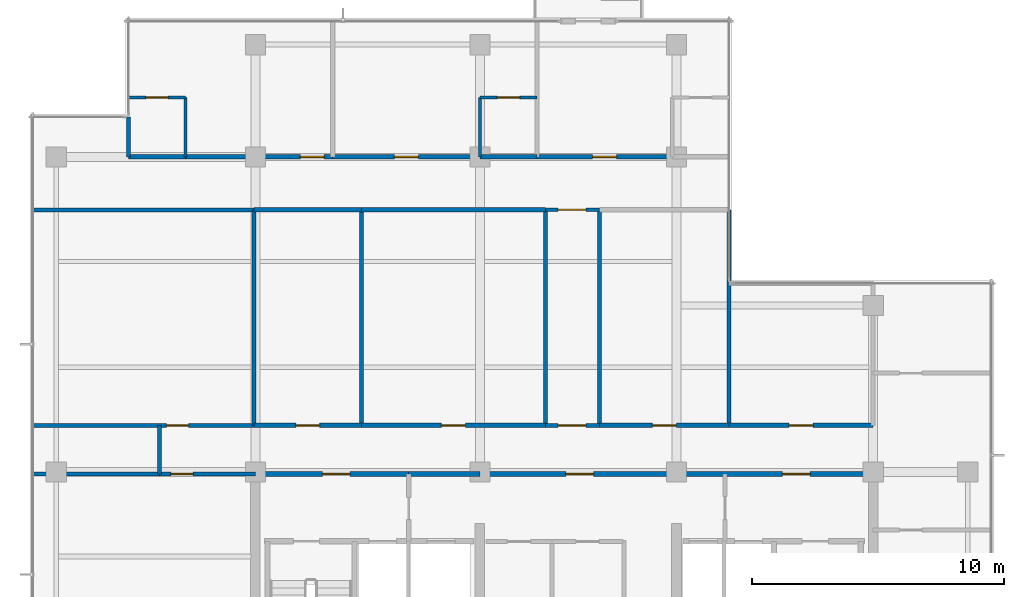
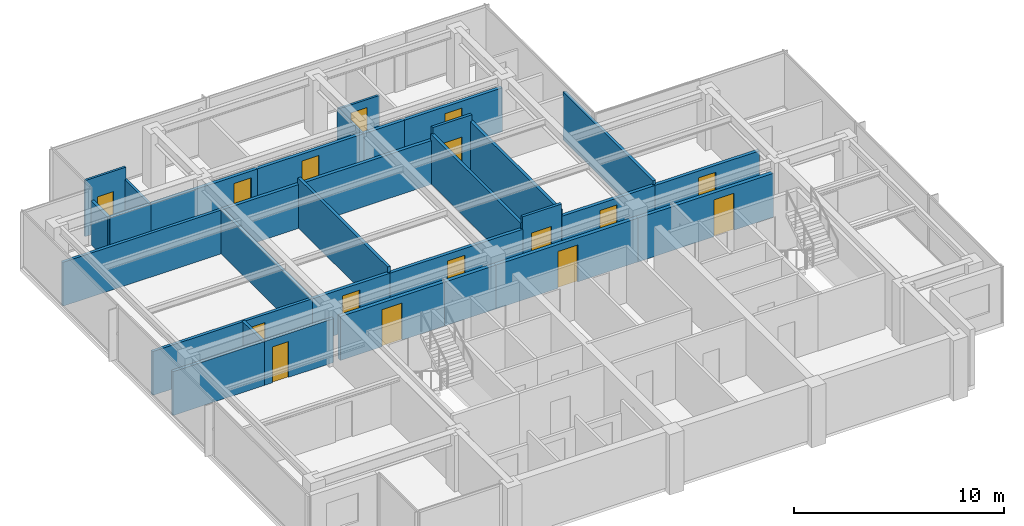
# One storey, part 7 of 11: 32 walls, 16 doors, 16 openings.
"""IFC4 building model written with IfcOpenShell, lengths in metres."""

from ifc_helpers import new_model, si_unit, direction, frame, frame_2d, origin, place, context, subcontext, project, spatial, rectangle, extrude, material, layer, layer_set, type_object, element, fill, save


model = new_model("IFC4")

# Units and contexts
model_context = context("Model", 3, precision=1e-05, world=origin(), true_north=direction((0.0, 1.0)))
body_context = subcontext(model_context, "Body", "Model", "MODEL_VIEW")
ifc_project = project(units=[si_unit("LENGTHUNIT", "METRE"), si_unit("AREAUNIT", "SQUARE_METRE"), si_unit("VOLUMEUNIT", "CUBIC_METRE"), si_unit("PLANEANGLEUNIT", "RADIAN"), si_unit("MASSUNIT", "GRAM", prefix="KILO")], contexts=[model_context])

# Site, building, storey
site_placement = place(None, origin())
site = spatial("IfcSite", under=ifc_project, at=site_placement, CompositionType="ELEMENT")
building_placement = place(site_placement, origin())
building = spatial("IfcBuilding", under=site, at=building_placement, Name="Qalmaran Belvedere Hotel", CompositionType="ELEMENT")
storey_placement = place(building_placement, frame((0.0, 0.0, 242.39990234375)))
storey = spatial("IfcBuildingStorey", under=building, at=storey_placement, Name="L62", CompositionType="ELEMENT", Elevation=242.39990234375)

# Wall, opening, door
ifc_material_1 = material(Name="Moisture-Resistant Gypsum")
ifc_layer_1 = layer(ifc_material_1, 0.1201171875, Name="Moisture-Resistant Gypsum")
ifc_layer_set_1 = layer_set([ifc_layer_1], Name="Moisture-Resistant Gypsum")
wall_type_1 = type_object("IfcWallType", Name="WL-INT-120-BATH", PredefinedType="PARTITIONING", material=ifc_layer_set_1)
wall_1_placement = place(storey_placement, frame((15.27001953125, 35.35009765625, 0.0), z_axis=(0.0, 0.0, 1.0), x_axis=(1.0, 0.0, 0.0)))
wall_1 = element("IfcWall", 1, at=wall_1_placement, inside=storey, type_object=wall_type_1, Name="L62 Partition WL-L62-NBN00", PredefinedType="PARTITIONING", context=body_context, shape_type="SweptSolid", body=[
    extrude(rectangle(XDim=2.25, YDim=0.1201171875, at=frame_2d((1.125, 0.0))), origin(), (0.0, 0.0, 1.0), 3.260009765625),
])
opening_1_placement = place(wall_1_placement, frame((1.56494140625, 0.0, 0.0), z_axis=(0.0, 0.0, 1.0), x_axis=(-1.0, 0.0, 0.0)))
opening_1 = element("IfcOpeningElement", 2, at=opening_1_placement, cuts=wall_1, Name="Opening D-BATH", PredefinedType="OPENING", context=body_context, shape_type="SweptSolid", body=[
    extrude(rectangle(XDim=0.8798828125, YDim=2.080078125, at=frame_2d((0.43994140625, 1.0400390625))), frame((0.0, 0.070068359375, 0.0), z_axis=(0.0, -1.0, 0.0), x_axis=(1.0, 0.0, 0.0)), (0.0, 0.0, 1.0), 0.14013671875),
])
ifc_material_2 = material(Name="Engineered Oak Veneer")
door_type_1 = type_object("IfcDoorType", Name="DR-INT-BATH-880X2080", OperationType="NOTDEFINED", PredefinedType="DOOR", material=ifc_material_2)
door_1_placement = place(opening_1_placement, origin())
door_1 = element("IfcDoor", 3, at=door_1_placement, inside=storey, type_object=door_type_1, Name="L62 Ensuite Bathroom Door N01", OperationType="SINGLE_SWING_LEFT", OverallHeight=2.080078125, OverallWidth=0.8798828125, PredefinedType="DOOR", context=body_context, shape_type="SweptSolid", body=[
    extrude(rectangle(XDim=0.8798828125, YDim=2.080078125, at=frame_2d((0.43994140625, 1.0400390625))), frame((0.0, 0.02490234375, 0.0), z_axis=(0.0, -1.0, 0.0), x_axis=(1.0, 0.0, 0.0)), (0.0, 0.0, 1.0), 0.050048828125),
])
fill(opening_1, door_1)

# Wall
wall_2_placement = place(storey_placement, frame((17.52001953125, 33.0, 0.0), z_axis=(0.0, 0.0, 1.0), x_axis=(0.0, 1.0, 0.0)))
element("IfcWall", 4, at=wall_2_placement, inside=storey, type_object=wall_type_1, Name="L62 Partition WL-L62-NBS00", PredefinedType="PARTITIONING", context=body_context, shape_type="SweptSolid", body=[
    extrude(rectangle(XDim=2.35009765625, YDim=0.1201171875, at=frame_2d((1.175048828125, 0.0))), origin(), (0.0, 0.0, 1.0), 2.550048828125),
])

# Wall, opening, door
wall_3_placement = place(storey_placement, frame((29.210693359375, 35.35009765625, 0.0), z_axis=(0.0, 0.0, 1.0), x_axis=(1.0, 0.0, 0.0)))
wall_3 = element("IfcWall", 5, at=wall_3_placement, inside=storey, type_object=wall_type_1, Name="L62 Partition WL-L62-NBN01", PredefinedType="PARTITIONING", context=body_context, shape_type="SweptSolid", body=[
    extrude(rectangle(XDim=2.25, YDim=0.1201171875, at=frame_2d((1.125, 0.0))), origin(), (0.0, 0.0, 1.0), 2.550048828125),
])
opening_2_placement = place(wall_3_placement, frame((1.56494140625, 0.0, 0.0), z_axis=(0.0, 0.0, 1.0), x_axis=(-1.0, 0.0, 0.0)))
opening_2 = element("IfcOpeningElement", 6, at=opening_2_placement, cuts=wall_3, Name="Opening D-BATH", PredefinedType="OPENING", context=body_context, shape_type="SweptSolid", body=[
    extrude(rectangle(XDim=0.8798828125, YDim=2.080078125, at=frame_2d((0.43994140625, 1.0400390625))), frame((0.0, 0.070068359375, 0.0), z_axis=(0.0, -1.0, 0.0), x_axis=(1.0, 0.0, 0.0)), (0.0, 0.0, 1.0), 0.14013671875),
])
door_2_placement = place(opening_2_placement, origin())
door_2 = element("IfcDoor", 7, at=door_2_placement, inside=storey, type_object=door_type_1, Name="L62 Ensuite Bathroom Door N02", OperationType="SINGLE_SWING_LEFT", OverallHeight=2.080078125, OverallWidth=0.8798828125, PredefinedType="DOOR", context=body_context, shape_type="SweptSolid", body=[
    extrude(rectangle(XDim=0.8798828125, YDim=2.080078125, at=frame_2d((0.43994140625, 1.0400390625))), frame((0.0, 0.02490234375, 0.0), z_axis=(0.0, -1.0, 0.0), x_axis=(1.0, 0.0, 0.0)), (0.0, 0.0, 1.0), 0.050048828125),
])
fill(opening_2, door_2)

# Wall
wall_4_placement = place(storey_placement, frame((29.210693359375, 33.0, 0.0), z_axis=(0.0, 0.0, 1.0), x_axis=(0.0, 1.0, 0.0)))
element("IfcWall", 8, at=wall_4_placement, inside=storey, type_object=wall_type_1, Name="L62 Partition WL-L62-NBS01", PredefinedType="PARTITIONING", context=body_context, shape_type="SweptSolid", body=[
    extrude(rectangle(XDim=2.35009765625, YDim=0.1201171875, at=frame_2d((1.175048828125, 0.0))), origin(), (0.0, 0.0, 1.0), 2.550048828125),
])

# Wall, opening, door
ifc_material_3 = material(Name="Gypsum Stud Partition")
ifc_layer_2 = layer(ifc_material_3, 0.14990234375, Name="Gypsum Stud Partition")
ifc_layer_set_2 = layer_set([ifc_layer_2], Name="Gypsum Stud Partition")
wall_type_2 = type_object("IfcWallType", Name="WL-INT-150-EI60", PredefinedType="PARTITIONING", material=ifc_layer_set_2)
wall_5_placement = place(storey_placement, frame((31.800048828125, 22.35009765625, 0.0), z_axis=(0.0, 0.0, 1.0), x_axis=(1.0, 0.0, 0.0)))
wall_5 = element("IfcWall", 9, at=wall_5_placement, inside=storey, type_object=wall_type_2, Name="L62 Partition WL-L62-XCLS", PredefinedType="PARTITIONING", context=body_context, shape_type="SweptSolid", body=[
    extrude(rectangle(XDim=2.14990234375, YDim=0.14990234375, at=frame_2d((1.074951171875, 0.0))), origin(), (0.0, 0.0, 1.0), 3.260009765625),
])
opening_3_placement = place(wall_5_placement, frame((0.5, 0.0, 0.0)))
opening_3 = element("IfcOpeningElement", 10, at=opening_3_placement, cuts=wall_5, Name="Opening FD90", PredefinedType="OPENING", context=body_context, shape_type="SweptSolid", body=[
    extrude(rectangle(XDim=1.10009765625, YDim=2.14990234375, at=frame_2d((0.550048828125, 1.074951171875))), frame((0.0, 0.0849609375, 0.0), z_axis=(0.0, -1.0, 0.0), x_axis=(1.0, 0.0, 0.0)), (0.0, 0.0, 1.0), 0.169921875),
])
ifc_material_4 = material(Name="Steel S355JR", Category="steel")
door_type_2 = type_object("IfcDoorType", Name="DR-FD90-1100X2150", OperationType="NOTDEFINED", PredefinedType="DOOR", material=ifc_material_4)
door_3_placement = place(opening_3_placement, origin())
door_3 = element("IfcDoor", 11, at=door_3_placement, inside=storey, type_object=door_type_2, Name="L62 Sky Link South Door", OperationType="SINGLE_SWING_RIGHT", OverallHeight=2.14990234375, OverallWidth=1.10009765625, PredefinedType="DOOR", context=body_context, shape_type="SweptSolid", body=[
    extrude(rectangle(XDim=1.10009765625, YDim=2.14990234375, at=frame_2d((0.550048828125, 1.074951171875))), frame((0.0, 0.02490234375, 0.0), z_axis=(0.0, -1.0, 0.0), x_axis=(1.0, 0.0, 0.0)), (0.0, 0.0, 1.0), 0.050048828125),
])
fill(opening_3, door_3)

wall_6_placement = place(storey_placement, frame((31.800048828125, 30.89990234375, 0.0), z_axis=(0.0, 0.0, 1.0), x_axis=(1.0, 0.0, 0.0)))
wall_6 = element("IfcWall", 12, at=wall_6_placement, inside=storey, type_object=wall_type_2, Name="L62 Partition WL-L62-XCLN", PredefinedType="PARTITIONING", context=body_context, shape_type="SweptSolid", body=[
    extrude(rectangle(XDim=2.14990234375, YDim=0.14990234375, at=frame_2d((1.074951171875, 0.0))), origin(), (0.0, 0.0, 1.0), 3.260009765625),
])
opening_4_placement = place(wall_6_placement, frame((0.5, 0.0, 0.0)))
opening_4 = element("IfcOpeningElement", 13, at=opening_4_placement, cuts=wall_6, Name="Opening FD90", PredefinedType="OPENING", context=body_context, shape_type="SweptSolid", body=[
    extrude(rectangle(XDim=1.10009765625, YDim=2.14990234375, at=frame_2d((0.550048828125, 1.074951171875))), frame((0.0, 0.0849609375, 0.0), z_axis=(0.0, -1.0, 0.0), x_axis=(1.0, 0.0, 0.0)), (0.0, 0.0, 1.0), 0.169921875),
])
door_4_placement = place(opening_4_placement, origin())
door_4 = element("IfcDoor", 14, at=door_4_placement, inside=storey, type_object=door_type_2, Name="L62 Sky Link North Door", OperationType="SINGLE_SWING_LEFT", OverallHeight=2.14990234375, OverallWidth=1.10009765625, PredefinedType="DOOR", context=body_context, shape_type="SweptSolid", body=[
    extrude(rectangle(XDim=1.10009765625, YDim=2.14990234375, at=frame_2d((0.550048828125, 1.074951171875))), frame((0.0, 0.02490234375, 0.0), z_axis=(0.0, -1.0, 0.0), x_axis=(1.0, 0.0, 0.0)), (0.0, 0.0, 1.0), 0.050048828125),
])
fill(opening_4, door_4)

# Wall
ifc_layer_3 = layer(ifc_material_3, 0.159912109375, Name="Gypsum Stud Partition")
ifc_layer_set_3 = layer_set([ifc_layer_3], Name="Gypsum Stud Partition")
wall_type_3 = type_object("IfcWallType", Name="WL-INT-160-EI60", PredefinedType="PARTITIONING", material=ifc_layer_set_3)
wall_7_placement = place(storey_placement, frame((11.469970703125, 20.419921875, 0.0), z_axis=(0.0, 0.0, 1.0), x_axis=(1.0, 0.0, 0.0)))
element("IfcWall", 15, at=wall_7_placement, inside=storey, type_object=wall_type_3, Name="L62 Partition WL-L62-C4WS1", PredefinedType="PARTITIONING", context=body_context, shape_type="SweptSolid", body=[
    extrude(rectangle(XDim=5.030029296875, YDim=0.159912109375, at=frame_2d((2.51513671875, 0.0))), origin(), (0.0, 0.0, 1.0), 2.550048828125),
])

# Wall, opening, door
wall_8_placement = place(storey_placement, frame((16.5, 20.419921875, 0.0), z_axis=(0.0, 0.0, 1.0), x_axis=(1.0, 0.0, 0.0)))
wall_8 = element("IfcWall", 16, at=wall_8_placement, inside=storey, type_object=wall_type_3, Name="L62 Partition WL-L62-C4WS2", PredefinedType="PARTITIONING", context=body_context, shape_type="SweptSolid", body=[
    extrude(rectangle(XDim=3.800048828125, YDim=0.159912109375, at=frame_2d((1.89990234375, 0.0))), origin(), (0.0, 0.0, 1.0), 2.550048828125),
])
opening_5_placement = place(wall_8_placement, frame((1.329833984375, 0.0, 0.0), z_axis=(0.0, 0.0, 1.0), x_axis=(-1.0, 0.0, 0.0)))
opening_5 = element("IfcOpeningElement", 17, at=opening_5_placement, cuts=wall_8, Name="Opening FD60B", PredefinedType="OPENING", context=body_context, shape_type="SweptSolid", body=[
    extrude(rectangle(XDim=0.8798828125, YDim=2.080078125, at=frame_2d((0.43994140625, 1.0400390625))), frame((0.0, 0.08984375, 0.0), z_axis=(0.0, -1.0, 0.0), x_axis=(1.0, 0.0, 0.0)), (0.0, 0.0, 1.0), 0.179931640625),
])
door_type_3 = type_object("IfcDoorType", Name="DR-FD60B-880X2080", OperationType="NOTDEFINED", PredefinedType="DOOR", material=ifc_material_4)
door_5_placement = place(opening_5_placement, origin())
door_5 = element("IfcDoor", 18, at=door_5_placement, inside=storey, type_object=door_type_3, Name="L62 West Salon Door", OperationType="SINGLE_SWING_LEFT", OverallHeight=2.080078125, OverallWidth=0.8798828125, PredefinedType="DOOR", context=body_context, shape_type="SweptSolid", body=[
    extrude(rectangle(XDim=0.8798828125, YDim=2.080078125, at=frame_2d((0.43994140625, 1.0400390625))), frame((0.0, 0.02490234375, 0.0), z_axis=(0.0, -1.0, 0.0), x_axis=(1.0, 0.0, 0.0)), (0.0, 0.0, 1.0), 0.050048828125),
])
fill(opening_5, door_5)

# Wall
wall_9_placement = place(storey_placement, frame((16.5, 20.419921875, 0.0), z_axis=(0.0, 0.0, 1.0), x_axis=(0.0, 1.0, 0.0)))
element("IfcWall", 19, at=wall_9_placement, inside=storey, type_object=wall_type_3, Name="L62 Partition WL-L62-C4WW", PredefinedType="PARTITIONING", context=body_context, shape_type="SweptSolid", body=[
    extrude(rectangle(XDim=1.93017578125, YDim=0.159912109375, at=frame_2d((0.965087890625, 0.0))), origin(), (0.0, 0.0, 1.0), 2.550048828125),
])

# Wall, opening, door
wall_10_placement = place(storey_placement, frame((11.469970703125, 22.35009765625, 0.0), z_axis=(0.0, 0.0, 1.0), x_axis=(1.0, 0.0, 0.0)))
wall_10 = element("IfcWall", 20, at=wall_10_placement, inside=storey, type_object=wall_type_3, Name="L62 Partition WL-L62-C4WN0", PredefinedType="PARTITIONING", context=body_context, shape_type="SweptSolid", body=[
    extrude(rectangle(XDim=8.780029296875, YDim=0.159912109375, at=frame_2d((4.39013671875, 0.0))), origin(), (0.0, 0.0, 1.0), 2.550048828125),
])
opening_6_placement = place(wall_10_placement, frame((5.300048828125, 0.0, 0.0)))
opening_6 = element("IfcOpeningElement", 21, at=opening_6_placement, cuts=wall_10, Name="Opening FD60B", PredefinedType="OPENING", context=body_context, shape_type="SweptSolid", body=[
    extrude(rectangle(XDim=0.8798828125, YDim=2.080078125, at=frame_2d((0.43994140625, 1.0400390625))), frame((0.0, 0.08984375, 0.0), z_axis=(0.0, -1.0, 0.0), x_axis=(1.0, 0.0, 0.0)), (0.0, 0.0, 1.0), 0.179931640625),
])
door_6_placement = place(opening_6_placement, origin())
door_6 = element("IfcDoor", 22, at=door_6_placement, inside=storey, type_object=door_type_3, Name="L62 NW Salon Door", OperationType="SINGLE_SWING_RIGHT", OverallHeight=2.080078125, OverallWidth=0.8798828125, PredefinedType="DOOR", context=body_context, shape_type="SweptSolid", body=[
    extrude(rectangle(XDim=0.8798828125, YDim=2.080078125, at=frame_2d((0.43994140625, 1.0400390625))), frame((0.0, 0.02490234375, 0.0), z_axis=(0.0, -1.0, 0.0), x_axis=(1.0, 0.0, 0.0)), (0.0, 0.0, 1.0), 0.050048828125),
])
fill(opening_6, door_6)

# Walls
wall_11_placement = place(storey_placement, frame((11.469970703125, 30.89990234375, 0.0), z_axis=(0.0, 0.0, 1.0), x_axis=(1.0, 0.0, 0.0)))
element("IfcWall", 23, at=wall_11_placement, inside=storey, type_object=wall_type_3, Name="L62 Partition WL-L62-C4WN1", PredefinedType="PARTITIONING", context=body_context, shape_type="SweptSolid", body=[
    extrude(rectangle(XDim=8.780029296875, YDim=0.159912109375, at=frame_2d((4.39013671875, 0.0))), origin(), (0.0, 0.0, 1.0), 2.550048828125),
])
wall_12_placement = place(storey_placement, frame((20.25, 22.35009765625, 0.0), z_axis=(0.0, 0.0, 1.0), x_axis=(0.0, 1.0, 0.0)))
element("IfcWall", 24, at=wall_12_placement, inside=storey, type_object=wall_type_3, Name="L62 Partition WL-L62-C4MWVL", PredefinedType="PARTITIONING", context=body_context, shape_type="SweptSolid", body=[
    extrude(rectangle(XDim=8.5498046875, YDim=0.159912109375, at=frame_2d((4.27490234375, 0.0))), origin(), (0.0, 0.0, 1.0), 2.550048828125),
])
for number, where, z_axis, x_axis, name in (
    (25, (24.5, 22.35009765625, 0.0), (0.0, 0.0, 1.0), (0.0, 1.0, 0.0), "L62 Partition WL-L62-C4MWVR1"),
    (26, (31.800048828125, 22.35009765625, 0.0), (0.0, 0.0, 1.0), (0.0, 1.0, 0.0), "L62 Partition WL-L62-C4MWVR2"),
    (27, (33.949951171875, 22.35009765625, 0.0), (0.0, 0.0, 1.0), (0.0, 1.0, 0.0), "L62 Partition WL-L62-C4MEVL"),
):
    element("IfcWall", number, at=place(storey_placement, frame(where, z_axis=z_axis, x_axis=x_axis)), inside=storey, type_object=wall_type_3, Name=name, PredefinedType="PARTITIONING", context=body_context, shape_type="SweptSolid", body=[
        extrude(rectangle(XDim=8.5498046875, YDim=0.159912109375, at=frame_2d((4.27490234375, 0.0))), origin(), (0.0, 0.0, 1.0), 2.88720703125),
    ])
wall_13_placement = place(storey_placement, frame((39.080078125, 22.35009765625, 0.0), z_axis=(0.0, 0.0, 1.0), x_axis=(0.0, 1.0, 0.0)))
element("IfcWall", 28, at=wall_13_placement, inside=storey, type_object=wall_type_3, Name="L62 Partition WL-L62-C4MEVR1", PredefinedType="PARTITIONING", context=body_context, shape_type="SweptSolid", body=[
    extrude(rectangle(XDim=8.5498046875, YDim=0.159912109375, at=frame_2d((4.27490234375, 0.0))), origin(), (0.0, 0.0, 1.0), 2.781982421875),
])
wall_14_placement = place(storey_placement, frame((15.27001953125, 33.0, 0.0), z_axis=(0.0, 0.0, 1.0), x_axis=(0.0, 1.0, 0.0)))
element("IfcWall", 29, at=wall_14_placement, inside=storey, type_object=wall_type_3, Name="L62 Partition WL-L62-NUL", PredefinedType="PARTITIONING", context=body_context, shape_type="SweptSolid", body=[
    extrude(rectangle(XDim=1.580078125, YDim=0.159912109375, at=frame_2d((0.7900390625, 0.0))), origin(), (0.0, 0.0, 1.0), 2.550048828125),
])

# Wall, opening, door
ifc_layer_4 = layer(ifc_material_3, 0.179931640625, Name="Gypsum Stud Partition")
ifc_layer_set_4 = layer_set([ifc_layer_4], Name="Gypsum Stud Partition")
wall_type_4 = type_object("IfcWallType", Name="WL-INT-180-EI60", PredefinedType="PARTITIONING", material=ifc_layer_set_4)
wall_15_placement = place(storey_placement, frame((20.25, 22.35009765625, 0.0), z_axis=(0.0, 0.0, 1.0), x_axis=(1.0, 0.0, 0.0)))
wall_15 = element("IfcWall", 30, at=wall_15_placement, inside=storey, type_object=wall_type_4, Name="L62 Partition WL-L62-C4MWD1", PredefinedType="PARTITIONING", context=body_context, shape_type="SweptSolid", body=[
    extrude(rectangle(XDim=4.25, YDim=0.179931640625, at=frame_2d((2.125, 0.0))), origin(), (0.0, 0.0, 1.0), 2.550048828125),
])
opening_7_placement = place(wall_15_placement, frame((1.64990234375, 0.0, 0.0)))
opening_7 = element("IfcOpeningElement", 31, at=opening_7_placement, cuts=wall_15, Name="Opening FD60", PredefinedType="OPENING", context=body_context, shape_type="SweptSolid", body=[
    extrude(rectangle(XDim=0.949951171875, YDim=2.14990234375, at=frame_2d((0.47509765625, 1.074951171875))), frame((0.0, 0.10009765625, 0.0), z_axis=(0.0, -1.0, 0.0), x_axis=(1.0, 0.0, 0.0)), (0.0, 0.0, 1.0), 0.199951171875),
])
door_type_4 = type_object("IfcDoorType", Name="DR-FD60-950X2150", OperationType="NOTDEFINED", PredefinedType="DOOR", material=ifc_material_2)
door_7_placement = place(opening_7_placement, origin())
door_7 = element("IfcDoor", 32, at=door_7_placement, inside=storey, type_object=door_type_4, Name="L62 Housekeeping and Linen Room Door", OperationType="SINGLE_SWING_LEFT", OverallHeight=2.14990234375, OverallWidth=0.949951171875, PredefinedType="DOOR", context=body_context, shape_type="SweptSolid", body=[
    extrude(rectangle(XDim=0.949951171875, YDim=2.14990234375, at=frame_2d((0.47509765625, 1.074951171875))), frame((0.0, 0.02490234375, 0.0), z_axis=(0.0, -1.0, 0.0), x_axis=(1.0, 0.0, 0.0)), (0.0, 0.0, 1.0), 0.050048828125),
])
fill(opening_7, door_7)

# Wall
wall_16_placement = place(storey_placement, frame((20.25, 30.89990234375, 0.0), z_axis=(0.0, 0.0, 1.0), x_axis=(1.0, 0.0, 0.0)))
element("IfcWall", 33, at=wall_16_placement, inside=storey, type_object=wall_type_4, Name="L62 Partition WL-L62-C4MWO1", PredefinedType="PARTITIONING", context=body_context, shape_type="SweptSolid", body=[
    extrude(rectangle(XDim=4.25, YDim=0.179931640625, at=frame_2d((2.125, 0.0))), origin(), (0.0, 0.0, 1.0), 2.550048828125),
])

# Wall, opening, door
wall_17_placement = place(storey_placement, frame((24.5, 22.35009765625, 0.0), z_axis=(0.0, 0.0, 1.0), x_axis=(1.0, 0.0, 0.0)))
wall_17 = element("IfcWall", 34, at=wall_17_placement, inside=storey, type_object=wall_type_4, Name="L62 Partition WL-L62-C4MWD2", PredefinedType="PARTITIONING", context=body_context, shape_type="SweptSolid", body=[
    extrude(rectangle(XDim=7.300048828125, YDim=0.179931640625, at=frame_2d((3.64990234375, 0.0))), origin(), (0.0, 0.0, 1.0), 2.550048828125),
])
opening_8_placement = place(wall_17_placement, frame((3.175048828125, 0.0, 0.0)))
opening_8 = element("IfcOpeningElement", 35, at=opening_8_placement, cuts=wall_17, Name="Opening FD60", PredefinedType="OPENING", context=body_context, shape_type="SweptSolid", body=[
    extrude(rectangle(XDim=0.949951171875, YDim=2.14990234375, at=frame_2d((0.47509765625, 1.074951171875))), frame((0.0, 0.10009765625, 0.0), z_axis=(0.0, -1.0, 0.0), x_axis=(1.0, 0.0, 0.0)), (0.0, 0.0, 1.0), 0.199951171875),
])
door_8_placement = place(opening_8_placement, origin())
door_8 = element("IfcDoor", 36, at=door_8_placement, inside=storey, type_object=door_type_4, Name="L62 Yoga Spa Door", OperationType="SINGLE_SWING_RIGHT", OverallHeight=2.14990234375, OverallWidth=0.949951171875, PredefinedType="DOOR", context=body_context, shape_type="SweptSolid", body=[
    extrude(rectangle(XDim=0.949951171875, YDim=2.14990234375, at=frame_2d((0.47509765625, 1.074951171875))), frame((0.0, 0.02490234375, 0.0), z_axis=(0.0, -1.0, 0.0), x_axis=(1.0, 0.0, 0.0)), (0.0, 0.0, 1.0), 0.050048828125),
])
fill(opening_8, door_8)

# Wall
wall_18_placement = place(storey_placement, frame((24.5, 30.89990234375, 0.0), z_axis=(0.0, 0.0, 1.0), x_axis=(1.0, 0.0, 0.0)))
element("IfcWall", 37, at=wall_18_placement, inside=storey, type_object=wall_type_4, Name="L62 Partition WL-L62-C4MWO2", PredefinedType="PARTITIONING", context=body_context, shape_type="SweptSolid", body=[
    extrude(rectangle(XDim=7.300048828125, YDim=0.179931640625, at=frame_2d((3.64990234375, 0.0))), origin(), (0.0, 0.0, 1.0), 2.550048828125),
])

# Wall, opening, door
wall_19_placement = place(storey_placement, frame((33.949951171875, 22.35009765625, 0.0), z_axis=(0.0, 0.0, 1.0), x_axis=(1.0, 0.0, 0.0)))
wall_19 = element("IfcWall", 38, at=wall_19_placement, inside=storey, type_object=wall_type_4, Name="L62 Partition WL-L62-C4MED1", PredefinedType="PARTITIONING", context=body_context, shape_type="SweptSolid", body=[
    extrude(rectangle(XDim=5.130126953125, YDim=0.179931640625, at=frame_2d((2.56494140625, 0.0))), origin(), (0.0, 0.0, 1.0), 2.550048828125),
])
opening_9_placement = place(wall_19_placement, frame((2.090087890625, 0.0, 0.0)))
opening_9 = element("IfcOpeningElement", 39, at=opening_9_placement, cuts=wall_19, Name="Opening FD60", PredefinedType="OPENING", context=body_context, shape_type="SweptSolid", body=[
    extrude(rectangle(XDim=0.949951171875, YDim=2.14990234375, at=frame_2d((0.47509765625, 1.074951171875))), frame((0.0, 0.10009765625, 0.0), z_axis=(0.0, -1.0, 0.0), x_axis=(1.0, 0.0, 0.0)), (0.0, 0.0, 1.0), 0.199951171875),
])
door_9_placement = place(opening_9_placement, origin())
door_9 = element("IfcDoor", 40, at=door_9_placement, inside=storey, type_object=door_type_4, Name="L62 Pilates Spa Door", OperationType="SINGLE_SWING_LEFT", OverallHeight=2.14990234375, OverallWidth=0.949951171875, PredefinedType="DOOR", context=body_context, shape_type="SweptSolid", body=[
    extrude(rectangle(XDim=0.949951171875, YDim=2.14990234375, at=frame_2d((0.47509765625, 1.074951171875))), frame((0.0, 0.02490234375, 0.0), z_axis=(0.0, -1.0, 0.0), x_axis=(1.0, 0.0, 0.0)), (0.0, 0.0, 1.0), 0.050048828125),
])
fill(opening_9, door_9)

wall_20_placement = place(storey_placement, frame((39.080078125, 22.35009765625, 0.0), z_axis=(0.0, 0.0, 1.0), x_axis=(1.0, 0.0, 0.0)))
wall_20 = element("IfcWall", 41, at=wall_20_placement, inside=storey, type_object=wall_type_4, Name="L62 Partition WL-L62-C4MFD1", PredefinedType="PARTITIONING", context=body_context, shape_type="SweptSolid", body=[
    extrude(rectangle(XDim=5.719970703125, YDim=0.179931640625, at=frame_2d((2.85986328125, 0.0))), origin(), (0.0, 0.0, 1.0), 2.550048828125),
])
opening_10_placement = place(wall_20_placement, frame((2.385009765625, 0.0, 0.0)))
opening_10 = element("IfcOpeningElement", 42, at=opening_10_placement, cuts=wall_20, Name="Opening FD60", PredefinedType="OPENING", context=body_context, shape_type="SweptSolid", body=[
    extrude(rectangle(XDim=0.949951171875, YDim=2.14990234375, at=frame_2d((0.47509765625, 1.074951171875))), frame((0.0, 0.10009765625, 0.0), z_axis=(0.0, -1.0, 0.0), x_axis=(1.0, 0.0, 0.0)), (0.0, 0.0, 1.0), 0.199951171875),
])
door_10_placement = place(opening_10_placement, origin())
door_10 = element("IfcDoor", 43, at=door_10_placement, inside=storey, type_object=door_type_4, Name="L62 Thermal Spa Door", OperationType="SINGLE_SWING_RIGHT", OverallHeight=2.14990234375, OverallWidth=0.949951171875, PredefinedType="DOOR", context=body_context, shape_type="SweptSolid", body=[
    extrude(rectangle(XDim=0.949951171875, YDim=2.14990234375, at=frame_2d((0.47509765625, 1.074951171875))), frame((0.0, 0.02490234375, 0.0), z_axis=(0.0, -1.0, 0.0), x_axis=(1.0, 0.0, 0.0)), (0.0, 0.0, 1.0), 0.050048828125),
])
fill(opening_10, door_10)

# Wall
wall_21_placement = place(storey_placement, frame((15.27001953125, 33.0, 0.0), z_axis=(0.0, 0.0, 1.0), x_axis=(1.0, 0.0, 0.0)))
element("IfcWall", 44, at=wall_21_placement, inside=storey, type_object=wall_type_4, Name="L62 Partition WL-L62-NBC00", PredefinedType="PARTITIONING", context=body_context, shape_type="SweptSolid", body=[
    extrude(rectangle(XDim=2.25, YDim=0.179931640625, at=frame_2d((1.125, 0.0))), origin(), (0.0, 0.0, 1.0), 2.550048828125),
])

# Wall, opening, door
wall_22_placement = place(storey_placement, frame((17.52001953125, 33.0, 0.0), z_axis=(0.0, 0.0, 1.0), x_axis=(1.0, 0.0, 0.0)))
wall_22 = element("IfcWall", 45, at=wall_22_placement, inside=storey, type_object=wall_type_4, Name="L62 Partition WL-L62-NEC00", PredefinedType="PARTITIONING", context=body_context, shape_type="SweptSolid", body=[
    extrude(rectangle(XDim=5.845458984375, YDim=0.179931640625, at=frame_2d((2.9228515625, 0.0))), origin(), (0.0, 0.0, 1.0), 2.550048828125),
])
opening_11_placement = place(wall_22_placement, frame((4.55810546875, 0.0, 0.0)))
opening_11 = element("IfcOpeningElement", 46, at=opening_11_placement, cuts=wall_22, Name="Opening FD60", PredefinedType="OPENING", context=body_context, shape_type="SweptSolid", body=[
    extrude(rectangle(XDim=0.949951171875, YDim=2.14990234375, at=frame_2d((0.47509765625, 1.074951171875))), frame((0.0, 0.10009765625, 0.0), z_axis=(0.0, -1.0, 0.0), x_axis=(1.0, 0.0, 0.0)), (0.0, 0.0, 1.0), 0.199951171875),
])
door_11_placement = place(opening_11_placement, origin())
door_11 = element("IfcDoor", 47, at=door_11_placement, inside=storey, type_object=door_type_4, Name="L62 Guest Entrance Door N01", OperationType="SINGLE_SWING_RIGHT", OverallHeight=2.14990234375, OverallWidth=0.949951171875, PredefinedType="DOOR", context=body_context, shape_type="SweptSolid", body=[
    extrude(rectangle(XDim=0.949951171875, YDim=2.14990234375, at=frame_2d((0.47509765625, 1.074951171875))), frame((0.0, 0.02490234375, 0.0), z_axis=(0.0, -1.0, 0.0), x_axis=(1.0, 0.0, 0.0)), (0.0, 0.0, 1.0), 0.050048828125),
])
fill(opening_11, door_11)

# Wall
wall_23_placement = place(storey_placement, frame((29.210693359375, 33.0, 0.0), z_axis=(0.0, 0.0, 1.0), x_axis=(1.0, 0.0, 0.0)))
element("IfcWall", 48, at=wall_23_placement, inside=storey, type_object=wall_type_4, Name="L62 Partition WL-L62-NBC01", PredefinedType="PARTITIONING", context=body_context, shape_type="SweptSolid", body=[
    extrude(rectangle(XDim=2.25, YDim=0.179931640625, at=frame_2d((1.125, 0.0))), origin(), (0.0, 0.0, 1.0), 2.550048828125),
])

# Wall, opening, door
wall_24_placement = place(storey_placement, frame((23.365478515625, 33.0, 0.0), z_axis=(0.0, 0.0, 1.0), x_axis=(1.0, 0.0, 0.0)))
wall_24 = element("IfcWall", 49, at=wall_24_placement, inside=storey, type_object=wall_type_4, Name="L62 Partition WL-L62-NEC01", PredefinedType="PARTITIONING", context=body_context, shape_type="SweptSolid", body=[
    extrude(rectangle(XDim=5.84521484375, YDim=0.179931640625, at=frame_2d((2.922607421875, 0.0))), origin(), (0.0, 0.0, 1.0), 2.550048828125),
])
opening_12_placement = place(wall_24_placement, frame((2.44775390625, 0.0, 0.0)))
opening_12 = element("IfcOpeningElement", 50, at=opening_12_placement, cuts=wall_24, Name="Opening FD60", PredefinedType="OPENING", context=body_context, shape_type="SweptSolid", body=[
    extrude(rectangle(XDim=0.949951171875, YDim=2.14990234375, at=frame_2d((0.47509765625, 1.074951171875))), frame((0.0, 0.10009765625, 0.0), z_axis=(0.0, -1.0, 0.0), x_axis=(1.0, 0.0, 0.0)), (0.0, 0.0, 1.0), 0.199951171875),
])
door_12_placement = place(opening_12_placement, origin())
door_12 = element("IfcDoor", 51, at=door_12_placement, inside=storey, type_object=door_type_4, Name="L62 Guest Entrance Door N02", OperationType="SINGLE_SWING_RIGHT", OverallHeight=2.14990234375, OverallWidth=0.949951171875, PredefinedType="DOOR", context=body_context, shape_type="SweptSolid", body=[
    extrude(rectangle(XDim=0.949951171875, YDim=2.14990234375, at=frame_2d((0.47509765625, 1.074951171875))), frame((0.0, 0.02490234375, 0.0), z_axis=(0.0, -1.0, 0.0), x_axis=(1.0, 0.0, 0.0)), (0.0, 0.0, 1.0), 0.050048828125),
])
fill(opening_12, door_12)

wall_25_placement = place(storey_placement, frame((31.460693359375, 33.0, 0.0), z_axis=(0.0, 0.0, 1.0), x_axis=(1.0, 0.0, 0.0)))
wall_25 = element("IfcWall", 52, at=wall_25_placement, inside=storey, type_object=wall_type_4, Name="L62 Partition WL-L62-NEC02", PredefinedType="PARTITIONING", context=body_context, shape_type="SweptSolid", body=[
    extrude(rectangle(XDim=5.369384765625, YDim=0.179931640625, at=frame_2d((2.6845703125, 0.0))), origin(), (0.0, 0.0, 1.0), 2.550048828125),
])
opening_13_placement = place(wall_25_placement, frame((2.209716796875, 0.0, 0.0)))
opening_13 = element("IfcOpeningElement", 53, at=opening_13_placement, cuts=wall_25, Name="Opening FD60", PredefinedType="OPENING", context=body_context, shape_type="SweptSolid", body=[
    extrude(rectangle(XDim=0.949951171875, YDim=2.14990234375, at=frame_2d((0.47509765625, 1.074951171875))), frame((0.0, 0.10009765625, 0.0), z_axis=(0.0, -1.0, 0.0), x_axis=(1.0, 0.0, 0.0)), (0.0, 0.0, 1.0), 0.199951171875),
])
door_13_placement = place(opening_13_placement, origin())
door_13 = element("IfcDoor", 54, at=door_13_placement, inside=storey, type_object=door_type_4, Name="L62 Guest Entrance Door N03", OperationType="SINGLE_SWING_RIGHT", OverallHeight=2.14990234375, OverallWidth=0.949951171875, PredefinedType="DOOR", context=body_context, shape_type="SweptSolid", body=[
    extrude(rectangle(XDim=0.949951171875, YDim=2.14990234375, at=frame_2d((0.47509765625, 1.074951171875))), frame((0.0, 0.02490234375, 0.0), z_axis=(0.0, -1.0, 0.0), x_axis=(1.0, 0.0, 0.0)), (0.0, 0.0, 1.0), 0.050048828125),
])
fill(opening_13, door_13)

ifc_material_5 = material(Name="Concrete C30/37 Blockwork", Category="masonry")
ifc_layer_5 = layer(ifc_material_5, 0.199951171875, Name="Concrete C30/37 Blockwork")
ifc_layer_set_5 = layer_set([ifc_layer_5], Name="Concrete C30/37 Blockwork")
wall_type_5 = type_object("IfcWallType", Name="WL-INT-200-EI120", PredefinedType="PARTITIONING", material=ifc_layer_set_5)
wall_26_placement = place(storey_placement, frame((20.64990234375, 20.419921875, 0.0), z_axis=(0.0, 0.0, 1.0), x_axis=(1.0, 0.0, 0.0)))
wall_26 = element("IfcWall", 55, at=wall_26_placement, inside=storey, type_object=wall_type_5, Name="L62 Partition WL-CN1A-L62", PredefinedType="PARTITIONING", context=body_context, shape_type="SweptSolid", body=[
    extrude(rectangle(XDim=5.72998046875, YDim=0.199951171875, at=frame_2d((2.864990234375, 0.0))), origin(), (0.0, 0.0, 1.0), 2.550048828125),
])
opening_14_placement = place(wall_26_placement, frame((2.300048828125, 0.0, 0.0)))
opening_14 = element("IfcOpeningElement", 56, at=opening_14_placement, cuts=wall_26, Name="Opening FD90", PredefinedType="OPENING", context=body_context, shape_type="SweptSolid", body=[
    extrude(rectangle(XDim=1.10009765625, YDim=2.14990234375, at=frame_2d((0.550048828125, 1.074951171875))), frame((0.0, 0.10986328125, 0.0), z_axis=(0.0, -1.0, 0.0), x_axis=(1.0, 0.0, 0.0)), (0.0, 0.0, 1.0), 0.219970703125),
])
door_14_placement = place(opening_14_placement, origin())
door_14 = element("IfcDoor", 57, at=door_14_placement, inside=storey, type_object=door_type_2, Name="L62 FF1 Lobby Corridor Door", OperationType="SINGLE_SWING_LEFT", OverallHeight=2.14990234375, OverallWidth=1.10009765625, PredefinedType="DOOR", context=body_context, shape_type="SweptSolid", body=[
    extrude(rectangle(XDim=1.10009765625, YDim=2.14990234375, at=frame_2d((0.550048828125, 1.074951171875))), frame((0.0, 0.02490234375, 0.0), z_axis=(0.0, -1.0, 0.0), x_axis=(1.0, 0.0, 0.0)), (0.0, 0.0, 1.0), 0.050048828125),
])
fill(opening_14, door_14)

# Wall
wall_27_placement = place(storey_placement, frame((26.3798828125, 20.419921875, 0.0), z_axis=(0.0, 0.0, 1.0), x_axis=(1.0, 0.0, 0.0)))
element("IfcWall", 58, at=wall_27_placement, inside=storey, type_object=wall_type_5, Name="L62 Partition WL-CN1B-L62", PredefinedType="PARTITIONING", context=body_context, shape_type="SweptSolid", body=[
    extrude(rectangle(XDim=2.820068359375, YDim=0.199951171875, at=frame_2d((1.41015625, 0.0))), origin(), (0.0, 0.0, 1.0), 2.550048828125),
])

# Wall, opening, door
wall_28_placement = place(storey_placement, frame((29.199951171875, 20.419921875, 0.0), z_axis=(0.0, 0.0, 1.0), x_axis=(1.0, 0.0, 0.0)))
wall_28 = element("IfcWall", 59, at=wall_28_placement, inside=storey, type_object=wall_type_5, Name="L62 Partition WL-CN2-L62", PredefinedType="PARTITIONING", context=body_context, shape_type="SweptSolid", body=[
    extrude(rectangle(XDim=7.800048828125, YDim=0.199951171875, at=frame_2d((3.89990234375, 0.0))), origin(), (0.0, 0.0, 1.0), 2.550048828125),
])
opening_15_placement = place(wall_28_placement, frame((3.4091796875, 0.0, 0.0)))
opening_15 = element("IfcOpeningElement", 60, at=opening_15_placement, cuts=wall_28, Name="Opening FD90", PredefinedType="OPENING", context=body_context, shape_type="SweptSolid", body=[
    extrude(rectangle(XDim=1.10009765625, YDim=2.14990234375, at=frame_2d((0.550048828125, 1.074951171875))), frame((0.0, 0.10986328125, 0.0), z_axis=(0.0, -1.0, 0.0), x_axis=(1.0, 0.0, 0.0)), (0.0, 0.0, 1.0), 0.219970703125),
])
door_15_placement = place(opening_15_placement, origin())
door_15 = element("IfcDoor", 61, at=door_15_placement, inside=storey, type_object=door_type_2, Name="L62 Central Lift Lobby Door", OperationType="SINGLE_SWING_RIGHT", OverallHeight=2.14990234375, OverallWidth=1.10009765625, PredefinedType="DOOR", context=body_context, shape_type="SweptSolid", body=[
    extrude(rectangle(XDim=1.10009765625, YDim=2.14990234375, at=frame_2d((0.550048828125, 1.074951171875))), frame((0.0, 0.02490234375, 0.0), z_axis=(0.0, -1.0, 0.0), x_axis=(1.0, 0.0, 0.0)), (0.0, 0.0, 1.0), 0.050048828125),
])
fill(opening_15, door_15)

wall_29_placement = place(storey_placement, frame((37.0, 20.419921875, 0.0), z_axis=(0.0, 0.0, 1.0), x_axis=(1.0, 0.0, 0.0)))
wall_29 = element("IfcWall", 62, at=wall_29_placement, inside=storey, type_object=wall_type_5, Name="L62 Partition WL-CN3-L62", PredefinedType="PARTITIONING", context=body_context, shape_type="SweptSolid", body=[
    extrude(rectangle(XDim=7.449951171875, YDim=0.199951171875, at=frame_2d((3.72509765625, 0.0))), origin(), (0.0, 0.0, 1.0), 2.550048828125),
])
opening_16_placement = place(wall_29_placement, frame((4.199951171875, 0.0, 0.0)))
opening_16 = element("IfcOpeningElement", 63, at=opening_16_placement, cuts=wall_29, Name="Opening FD90", PredefinedType="OPENING", context=body_context, shape_type="SweptSolid", body=[
    extrude(rectangle(XDim=1.10009765625, YDim=2.14990234375, at=frame_2d((0.550048828125, 1.074951171875))), frame((0.0, 0.10986328125, 0.0), z_axis=(0.0, -1.0, 0.0), x_axis=(1.0, 0.0, 0.0)), (0.0, 0.0, 1.0), 0.219970703125),
])
door_16_placement = place(opening_16_placement, origin())
door_16 = element("IfcDoor", 64, at=door_16_placement, inside=storey, type_object=door_type_2, Name="L62 FF2 Lobby Corridor Door", OperationType="SINGLE_SWING_LEFT", OverallHeight=2.14990234375, OverallWidth=1.10009765625, PredefinedType="DOOR", context=body_context, shape_type="SweptSolid", body=[
    extrude(rectangle(XDim=1.10009765625, YDim=2.14990234375, at=frame_2d((0.550048828125, 1.074951171875))), frame((0.0, 0.02490234375, 0.0), z_axis=(0.0, -1.0, 0.0), x_axis=(1.0, 0.0, 0.0)), (0.0, 0.0, 1.0), 0.050048828125),
])
fill(opening_16, door_16)

save(model, "model.ifc")
